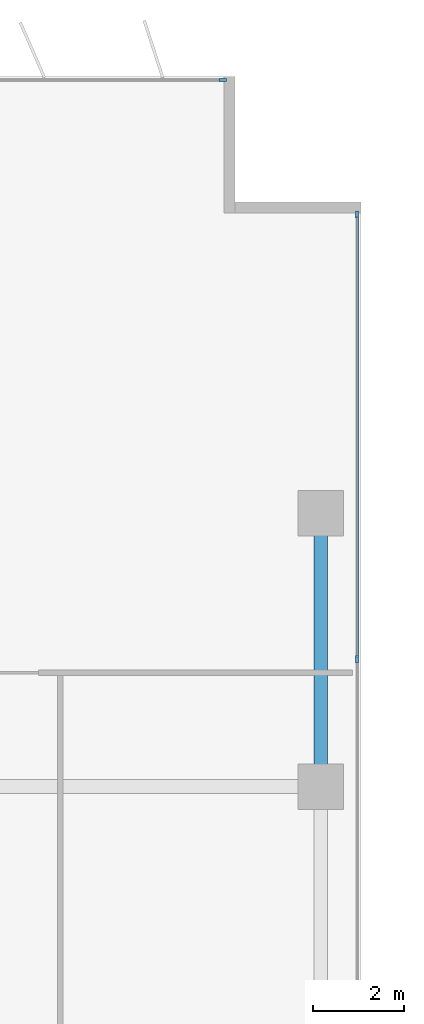
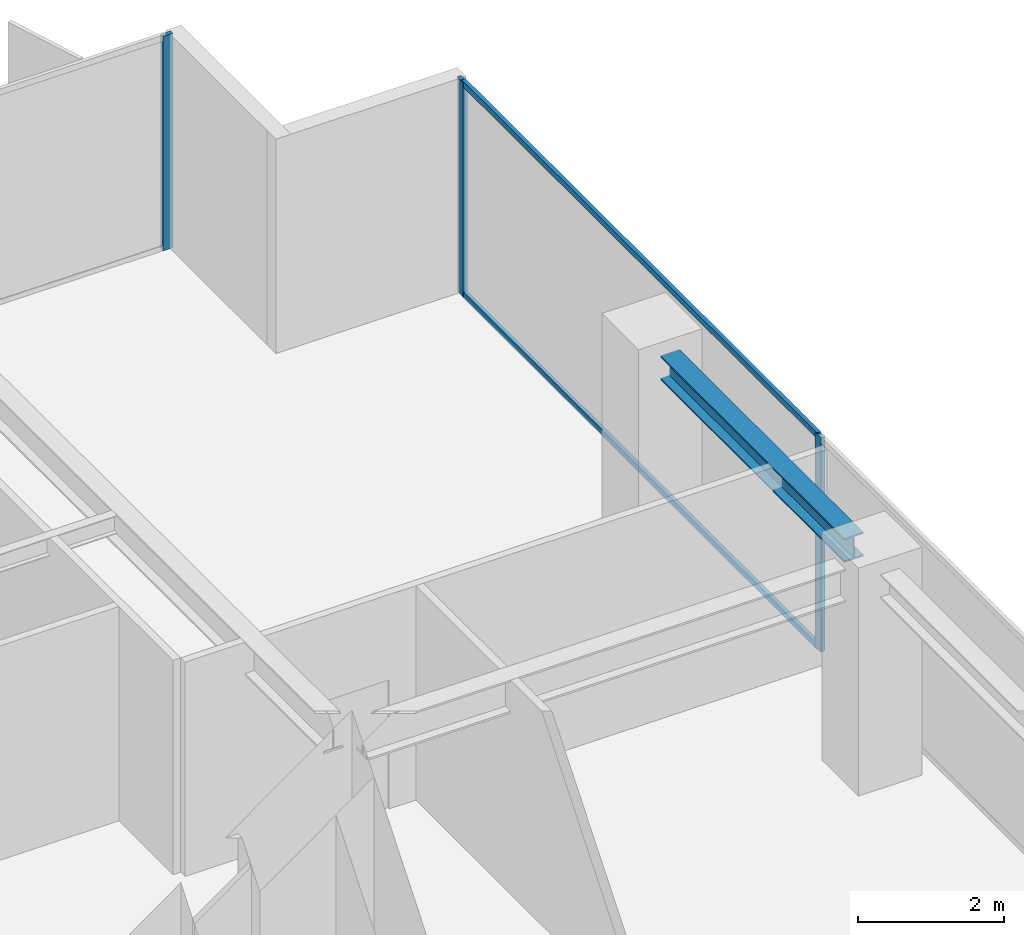
# One storey, part 13 of 22: 5 members, 1 beam, 2 elements without a shape of their own.
"""IFC4 building model written with IfcOpenShell, lengths in metres."""

from ifc_helpers import new_model, si_unit, direction, frame, origin, origin_2d, place, context, subcontext, project, spatial, rectangle, i_section, extrude, material, layer, layer_set, material_profile, profile_set, type_object, element, aggregate, save


model = new_model("IFC4")

# Units and contexts
model_context = context("Model", 3, precision=1e-05, world=origin(), true_north=direction((0.0, 1.0)))
body_context = subcontext(model_context, "Body", "Model", "MODEL_VIEW")
ifc_project = project(units=[si_unit("LENGTHUNIT", "METRE"), si_unit("AREAUNIT", "SQUARE_METRE"), si_unit("VOLUMEUNIT", "CUBIC_METRE"), si_unit("PLANEANGLEUNIT", "RADIAN"), si_unit("MASSUNIT", "GRAM", prefix="KILO")], contexts=[model_context])

# Site, building, storey
site_placement = place(None, origin())
site = spatial("IfcSite", under=ifc_project, at=site_placement, CompositionType="ELEMENT")
building_placement = place(site_placement, origin())
building = spatial("IfcBuilding", under=site, at=building_placement, Name="Putna Gate Headquarters", CompositionType="ELEMENT")
storey_placement = place(building_placement, frame((0.0, 0.0, 178.39990234375)))
storey = spatial("IfcBuildingStorey", under=building, at=storey_placement, Name="L44", CompositionType="ELEMENT", Elevation=178.39990234375)

# Beam
ifc_material_1 = material(Name="Steel S355J2", Category="steel")
ifc_material_profile_1 = material_profile(ifc_material_1, i_section(OverallWidth=0.300048828125, OverallDepth=0.39990234375, WebThickness=0.013427734375, FlangeThickness=0.02392578125, at=origin_2d()), Name="Steel S355J2")
ifc_profile_set_1 = profile_set([ifc_material_profile_1], Name="Steel S355J2")
beam_type = type_object("IfcBeamType", Name="BM-SPAN-Z3-HEB400", PredefinedType="SPANDREL", material=ifc_profile_set_1)
beam_placement = place(storey_placement, frame((73.320068359375, 33.488037109375, 3.3720703125), z_axis=(0.0, 1.0, 0.0), x_axis=(-1.0, 0.0, 0.0)))
element("IfcBeam", 1, at=beam_placement, inside=storey, type_object=beam_type, Name="L44 E End Spandrel 3", PredefinedType="SPANDREL", context=body_context, shape_type="SweptSolid", body=[
    extrude(i_section(OverallWidth=0.300048828125, OverallDepth=0.39990234375, WebThickness=0.013427734375, FlangeThickness=0.02392578125, at=origin_2d()), origin(), (0.0, 0.0, 1.0), 5.02392578125),
])

# Curtain wall, member
ifc_material_2 = material(Name="Anodised bronze aluminium curtain wall", Category="aluminium")
ifc_layer = layer(ifc_material_2, 0.159912109375)
ifc_layer_set = layer_set([ifc_layer], Name="Anodised bronze aluminium curtain wall")
curtain_wall_type = type_object("IfcCurtainWallType", Name="CW-SYS-Z3", PredefinedType="USERDEFINED", material=ifc_layer_set)
curtain_wall_1_placement = place(storey_placement, origin())
curtain_wall_1 = element("IfcCurtainWall", 2, at=curtain_wall_1_placement, inside=storey, type_object=curtain_wall_type, Name="L44 North East Curtain Wall", ObjectType="STICK CURTAIN WALL", PredefinedType="USERDEFINED")
ifc_material_3 = material(Name="Anodised bronze aluminium EN AW-6060", Category="aluminium")
ifc_material_profile_2 = material_profile(ifc_material_3, rectangle(XDim=0.06494140625, YDim=0.159912109375, at=origin_2d()), Name="Anodised bronze aluminium EN AW-6060")
ifc_profile_set_2 = profile_set([ifc_material_profile_2], Name="Anodised bronze aluminium EN AW-6060")
member_type_1 = type_object("IfcMemberType", Name="MULL-CWM-3", PredefinedType="MULLION", material=ifc_profile_set_2)
member_1_placement = place(storey_placement, frame((71.16748046875, 48.52001953125, 0.0), z_axis=(0.0, 0.0, 1.0), x_axis=(0.0, 1.0, 0.0)))
member_1 = element("IfcMember", 3, at=member_1_placement, type_object=member_type_1, Name="CWS-3 mullion 3", PredefinedType="MULLION", context=body_context, shape_type="SweptSolid", body=[
    extrude(rectangle(XDim=0.06494140625, YDim=0.159912109375, at=origin_2d()), origin(), (0.0, 0.0, 1.0), 3.572021484375),
])
aggregate(curtain_wall_1, [member_1])

# Curtain wall, members
curtain_wall_2_placement = place(storey_placement, origin())
curtain_wall_2 = element("IfcCurtainWall", 4, at=curtain_wall_2_placement, inside=storey, type_object=curtain_wall_type, Name="L44 East Curtain Wall", ObjectType="STICK CURTAIN WALL", PredefinedType="USERDEFINED")
member_2_placement = place(storey_placement, frame((74.1201171875, 35.800048828125, 0.0), z_axis=(0.0, 0.0, 1.0), x_axis=(-1.0, 0.0, 0.0)))
member_2 = element("IfcMember", 5, at=member_2_placement, type_object=member_type_1, Name="CWS-3 mullion 4", PredefinedType="MULLION", context=body_context, shape_type="SweptSolid", body=[
    extrude(rectangle(XDim=0.06494140625, YDim=0.159912109375, at=origin_2d()), origin(), (0.0, 0.0, 1.0), 3.572021484375),
])
member_3_placement = place(storey_placement, frame((74.1201171875, 45.5673828125, 0.0), z_axis=(0.0, 0.0, 1.0), x_axis=(-1.0, 0.0, 0.0)))
member_3 = element("IfcMember", 6, at=member_3_placement, type_object=member_type_1, Name="CWS-3 mullion 5", PredefinedType="MULLION", context=body_context, shape_type="SweptSolid", body=[
    extrude(rectangle(XDim=0.06494140625, YDim=0.159912109375, at=origin_2d()), origin(), (0.0, 0.0, 1.0), 3.572021484375),
])
ifc_material_profile_3 = material_profile(ifc_material_3, rectangle(XDim=0.06005859375, YDim=0.10009765625, at=origin_2d()), Name="Anodised bronze aluminium EN AW-6060")
ifc_profile_set_3 = profile_set([ifc_material_profile_3], Name="Anodised bronze aluminium EN AW-6060")
member_type_2 = type_object("IfcMemberType", Name="TRAN-CWT-3", PredefinedType="USERDEFINED", material=ifc_profile_set_3)
member_4_placement = place(storey_placement, frame((74.1201171875, 35.83251953125, 0.030029296875), z_axis=(0.0, 1.0, 0.0), x_axis=(-1.0, 0.0, 0.0)))
member_4 = element("IfcMember", 7, at=member_4_placement, type_object=member_type_2, Name="CWS-3 transom 4.1", ObjectType="TRANSOM", PredefinedType="USERDEFINED", context=body_context, shape_type="SweptSolid", body=[
    extrude(rectangle(XDim=0.06005859375, YDim=0.10009765625, at=origin_2d()), origin(), (0.0, 0.0, 1.0), 9.702392578125),
])
member_5_placement = place(storey_placement, frame((74.1201171875, 35.83251953125, 3.5419921875), z_axis=(0.0, 1.0, 0.0), x_axis=(-1.0, 0.0, 0.0)))
member_5 = element("IfcMember", 8, at=member_5_placement, type_object=member_type_2, Name="CWS-3 transom 4.2", ObjectType="TRANSOM", PredefinedType="USERDEFINED", context=body_context, shape_type="SweptSolid", body=[
    extrude(rectangle(XDim=0.06005859375, YDim=0.10009765625, at=origin_2d()), origin(), (0.0, 0.0, 1.0), 9.702392578125),
])
aggregate(curtain_wall_2, [member_2, member_3, member_4, member_5])

save(model, "model.ifc")
